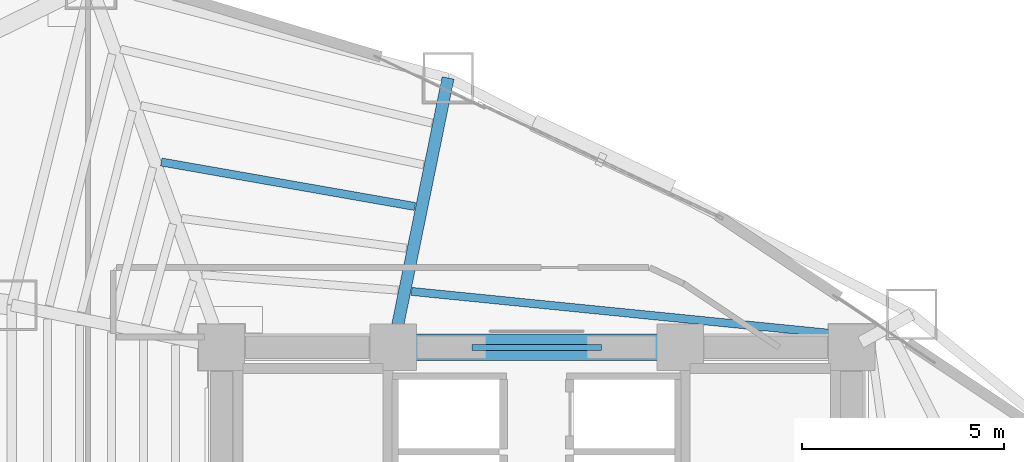
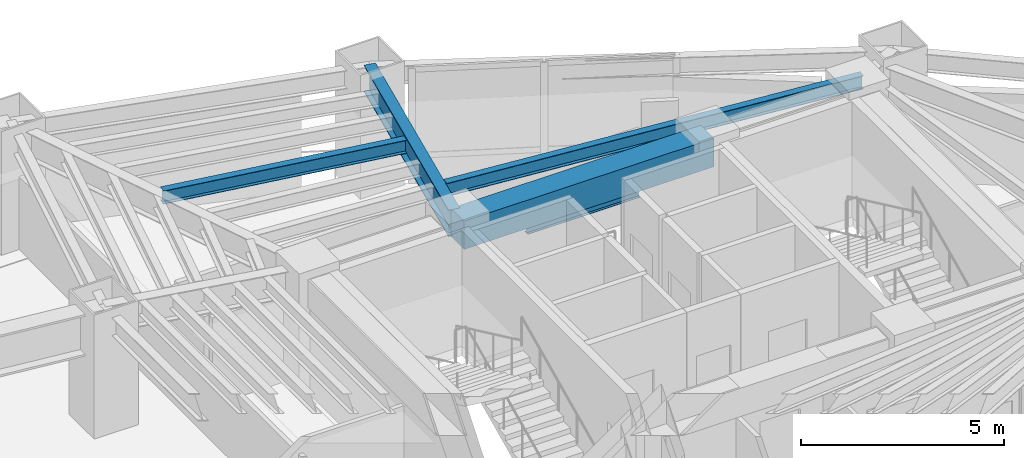
# One storey, part 13 of 23: 5 beams.
"""IFC4 building model written with IfcOpenShell, lengths in metres."""

import ifcopenshell
import ifcopenshell.guid

model = None  # the IFC model being written
_history = None  # IfcOwnerHistory: only IFC2X3 demands one
_inside = {}  # id of a spatial element -> (the spatial element, [elements in it])
_under = {}  # id of a project, library or spatial element -> (it, [spatial elements below it])
_declared = {}  # id of a project -> (the project, [libraries it declares])
_typed = {}  # id of a type object -> (the type object, [elements of that type])
_made_of = {}  # id of a material, layer set ... -> (it, [elements and type objects made of it])


def new_model(schema):
    """Start an empty IFC model of exactly this schema.

    Asked for "IFC4X3", IfcOpenShell would pick the latest addendum, in which some entities
    have other attributes; the version numbers below select the first issue.
    IFC2X3 requires an IfcOwnerHistory on every rooted entity: one is made here for all.
    """
    global model, _history
    if schema == "IFC4X3":
        model = ifcopenshell.file(schema_version=(4, 3, 0, 0))
    else:
        model = ifcopenshell.file(schema=schema)
    _inside.clear()
    _under.clear()
    _declared.clear()
    _typed.clear()
    _made_of.clear()
    _history = None
    if model.schema == "IFC2X3":
        org = make("IfcOrganization", Name="unknown")
        user = make(
            "IfcPersonAndOrganization",
            ThePerson=make("IfcPerson", FamilyName="unknown"),
            TheOrganization=org,
        )
        app = make(
            "IfcApplication",
            ApplicationDeveloper=org,
            Version="unknown",
            ApplicationFullName="unknown",
            ApplicationIdentifier="unknown",
        )
        _history = make(
            "IfcOwnerHistory",
            OwningUser=user,
            OwningApplication=app,
            ChangeAction="ADDED",
            CreationDate=0,
        )
    return model


def make(cls, **values):
    """One entity of the class cls with the attributes given. An attribute that is None is left unset."""
    return model.create_entity(
        cls, **{name: value for name, value in values.items() if value is not None}
    )


def rooted(cls, **values):
    """An entity with a GlobalId (a new one), such as an element, a storey or a relation."""
    return make(cls, GlobalId=ifcopenshell.guid.new(), OwnerHistory=_history, **values)


def si_unit(unit_type, name, prefix=None):
    """IfcSIUnit, for example si_unit("LENGTHUNIT", "METRE", prefix="MILLI")."""
    return make("IfcSIUnit", UnitType=unit_type, Prefix=prefix, Name=name)


def assignment(units):
    """IfcUnitAssignment: the units of a project."""
    return None if units is None else make("IfcUnitAssignment", Units=units)


def point(xyz):
    """IfcCartesianPoint."""
    return None if xyz is None else make("IfcCartesianPoint", Coordinates=xyz)


def direction(xyz):
    """IfcDirection."""
    return None if xyz is None else make("IfcDirection", DirectionRatios=xyz)


def frame(location, z_axis=None, x_axis=None):
    """IfcAxis2Placement3D, a coordinate frame: its origin and axes. An axis left out is left unset."""
    return make(
        "IfcAxis2Placement3D",
        Location=point(location),
        Axis=direction(z_axis),
        RefDirection=direction(x_axis),
    )


def frame_2d(location, x_axis=None):
    """IfcAxis2Placement2D, a coordinate frame in the plane: its origin and x axis."""
    return make(
        "IfcAxis2Placement2D", Location=point(location), RefDirection=direction(x_axis)
    )


def origin():
    """The frame at (0, 0, 0) with its axes left unset."""
    return frame((0.0, 0.0, 0.0))


def origin_2d():
    """The frame at (0, 0) in the plane with its x axis left unset."""
    return frame_2d((0.0, 0.0))


def place(relative_to, where):
    """IfcLocalPlacement: puts the frame where relative to a parent placement (None: the world)."""
    return make(
        "IfcLocalPlacement", PlacementRelTo=relative_to, RelativePlacement=where
    )


def context(
    kind, dimensions, precision=None, world=None, true_north=None, identifier=None
):
    """IfcGeometricRepresentationContext, for example the 3D "Model" context."""
    return make(
        "IfcGeometricRepresentationContext",
        ContextIdentifier=identifier,
        ContextType=kind,
        CoordinateSpaceDimension=dimensions,
        Precision=precision,
        WorldCoordinateSystem=world,
        TrueNorth=true_north,
    )


def subcontext(parent, identifier, kind, view, scale=None):
    """IfcGeometricRepresentationSubContext, for example "Body" below "Model"."""
    return make(
        "IfcGeometricRepresentationSubContext",
        ContextIdentifier=identifier,
        ContextType=kind,
        ParentContext=parent,
        TargetScale=scale,
        TargetView=view,
    )


def project(units=None, contexts=None):
    """IfcProject with its units and contexts."""
    return rooted(
        "IfcProject",
        Name="project",
        RepresentationContexts=contexts,
        UnitsInContext=assignment(units),
    )


def spatial(cls, under=None, at=None, **own):
    """A site, building, storey or space (cls), placed at a placement, below another one or the project."""
    s = rooted(cls, ObjectPlacement=at, **own)
    if under is not None:
        _under.setdefault(under.id(), (under, []))[1].append(s)
    return s


def profile(cls, at=None, kind="AREA", **sizes):
    """A parametric profile (cls). Its sizes go by their IFC names, for example OverallWidth=200.0."""
    return make(cls, ProfileType=kind, Position=at, **sizes)


def rectangle(**sizes):
    """IfcRectangleProfileDef."""
    return profile("IfcRectangleProfileDef", **sizes)


def i_section(**sizes):
    """IfcIShapeProfileDef."""
    return profile("IfcIShapeProfileDef", **sizes)


def extrude(swept, where, along, depth):
    """IfcExtrudedAreaSolid: the profile swept, set in the frame where, extruded along a direction by depth."""
    return make(
        "IfcExtrudedAreaSolid",
        SweptArea=swept,
        Position=where,
        ExtrudedDirection=direction(along),
        Depth=depth,
    )


def shape(context_of_items, identifier, shape_type, items):
    """IfcShapeRepresentation: the items that make up one representation, for example the "Body"."""
    return make(
        "IfcShapeRepresentation",
        ContextOfItems=context_of_items,
        RepresentationIdentifier=identifier,
        RepresentationType=shape_type,
        Items=items,
    )


def material(Name=None, Category=None):
    """IfcMaterial."""
    return make("IfcMaterial", Name=Name, Category=Category)


def material_profile(
    of_material, cross_section, Name=None, Category=None, Priority=None
):
    """IfcMaterialProfile: a cross section and its material."""
    return make(
        "IfcMaterialProfile",
        Name=Name,
        Material=of_material,
        Profile=cross_section,
        Priority=Priority,
        Category=Category,
    )


def profile_set(profiles, Name=None, composite=None):
    """IfcMaterialProfileSet."""
    return make(
        "IfcMaterialProfileSet",
        Name=Name,
        MaterialProfiles=profiles,
        CompositeProfile=composite,
    )


def made_of(thing, what):
    """Note that an element or type object is made of a material, layer set ...; save() writes the relation."""
    if what is not None:
        _made_of.setdefault(what.id(), (what, []))[1].append(thing)
    return thing


def type_object(cls, material=None, **own):
    """A type object (cls), such as IfcWallType, which elements share."""
    return made_of(rooted(cls, **own), material)


def element(
    cls,
    number,
    at=None,
    inside=None,
    cuts=None,
    type_object=None,
    material=None,
    context=None,
    identifier="Body",
    shape_type=None,
    held_by="IfcProductDefinitionShape",
    body=None,
    shapes=None,
    **own,
):
    """One element of the class cls, such as IfcWall. Its Tag is "e" and its number.

    at: its placement. inside: the storey or other place that contains it. cuts: it is an
    opening in that element (IfcRelVoidsElement). A single representation is given by context,
    identifier, shape_type and body (its items); several are given by shapes. held_by: the class
    of the entity that holds the representations. save() writes the other relations.
    """
    e = rooted(cls, Tag="e%d" % number, ObjectPlacement=at, **own)
    if body is not None:
        shapes = [shape(context, identifier, shape_type, body)]
    if shapes is not None:
        e.Representation = make(held_by, Representations=shapes)
    if inside is not None:
        _inside.setdefault(inside.id(), (inside, []))[1].append(e)
    if cuts is not None:
        rooted(
            "IfcRelVoidsElement", RelatingBuildingElement=cuts, RelatedOpeningElement=e
        )
    if type_object is not None:
        _typed.setdefault(type_object.id(), (type_object, []))[1].append(e)
    return made_of(e, material)


def aggregate(whole, parts):
    """IfcRelAggregates: a whole, such as a stair, and the parts it consists of."""
    return rooted("IfcRelAggregates", RelatingObject=whole, RelatedObjects=parts)


def save(model, path):
    """Write the relations noted so far, then the file.

    IfcRelAggregates (storeys below a building ...), IfcRelContainedInSpatialStructure (elements
    in a storey), IfcRelDefinesByType, IfcRelAssociatesMaterial and IfcRelDeclares: one each for
    every whole, place, type object, material and project.
    """
    for whole, parts in _under.values():
        aggregate(whole, parts)
    for where, things in _inside.values():
        rooted(
            "IfcRelContainedInSpatialStructure",
            RelatedElements=things,
            RelatingStructure=where,
        )
    for kind, things in _typed.values():
        rooted("IfcRelDefinesByType", RelatedObjects=things, RelatingType=kind)
    for what, things in _made_of.values():
        rooted("IfcRelAssociatesMaterial", RelatedObjects=things, RelatingMaterial=what)
    for by, libraries in _declared.values():
        rooted("IfcRelDeclares", RelatingContext=by, RelatedDefinitions=libraries)
    model.write(path)


model = new_model("IFC4")

# Units and contexts
model_context = context("Model", 3, precision=1e-05, world=origin(), true_north=direction((0.0, 1.0)))
body_context = subcontext(model_context, "Body", "Model", "MODEL_VIEW")
ifc_project = project(units=[si_unit("LENGTHUNIT", "METRE"), si_unit("AREAUNIT", "SQUARE_METRE"), si_unit("VOLUMEUNIT", "CUBIC_METRE"), si_unit("PLANEANGLEUNIT", "RADIAN"), si_unit("MASSUNIT", "GRAM", prefix="KILO")], contexts=[model_context])

# Site, building, storey
site_placement = place(None, origin())
site = spatial("IfcSite", under=ifc_project, at=site_placement, CompositionType="ELEMENT")
building_placement = place(site_placement, origin())
building = spatial("IfcBuilding", under=site, at=building_placement, Name="Menara Vayukalpa", CompositionType="ELEMENT")
storey_placement = place(building_placement, frame((0.0, 0.0, 103.97998046875)))
storey = spatial("IfcBuildingStorey", under=building, at=storey_placement, Name="L25", CompositionType="ELEMENT", Elevation=103.97998046875)

# Beams
ifc_material_1 = material(Name="Concrete C60/75", Category="concrete")
ifc_material_profile_1 = material_profile(ifc_material_1, rectangle(XDim=0.64990234375, YDim=0.85009765625, at=origin_2d()), Name="RC 650x850")
ifc_profile_set_1 = profile_set([ifc_material_profile_1], Name="Concrete C60/75")
beam_type_1 = type_object("IfcBeamType", Name="BM-CB1", PredefinedType="BEAM", material=ifc_profile_set_1)
beam_1_placement = place(storey_placement, frame((22.050048828125, 26.800048828125, 3.044921875), z_axis=(1.0, 0.0, 0.0), x_axis=(0.0, 1.0, 0.0)))
element("IfcBeam", 1, at=beam_1_placement, inside=storey, type_object=beam_type_1, Name="L25 Core Tie Beam CBR5", PredefinedType="BEAM", context=body_context, shape_type="SweptSolid", body=[
    extrude(rectangle(XDim=0.64990234375, YDim=0.85009765625, at=origin_2d()), origin(), (0.0, 0.0, 1.0), 7.099853515625),
])
ifc_material_2 = material(Name="Steel S355", Category="steel")
ifc_material_profile_2 = material_profile(ifc_material_2, i_section(OverallWidth=0.14990234375, OverallDepth=0.300048828125, WebThickness=0.006591796875, FlangeThickness=0.009033203125, at=origin_2d()), Name="WF 300x150x6.5x9")
ifc_profile_set_2 = profile_set([ifc_material_profile_2], Name="Steel S355")
beam_type_2 = type_object("IfcBeamType", Name="BM-LN1", PredefinedType="LINTEL", material=ifc_profile_set_2)
beam_2_placement = place(storey_placement, frame((24.0, 26.800048828125, 2.380126953125), z_axis=(1.0, 0.0, 0.0), x_axis=(0.0, 1.0, 0.0)))
element("IfcBeam", 2, at=beam_2_placement, inside=storey, type_object=beam_type_2, Name="L25 North Core Steel Lintel LN1", PredefinedType="LINTEL", context=body_context, shape_type="SweptSolid", body=[
    extrude(i_section(OverallWidth=0.14990234375, OverallDepth=0.300048828125, WebThickness=0.006591796875, FlangeThickness=0.009033203125, at=origin_2d()), origin(), (0.0, 0.0, 1.0), 3.199951171875),
])
ifc_material_3 = material(Name="Steel S355", Category="steel")
ifc_material_profile_3 = material_profile(ifc_material_3, i_section(OverallWidth=0.300048828125, OverallDepth=0.800048828125, WebThickness=0.013916015625, FlangeThickness=0.02587890625, at=origin_2d()), Name="WF 800x300x14x26")
ifc_profile_set_3 = profile_set([ifc_material_profile_3], Name="Steel S355")
beam_type_3 = type_object("IfcBeamType", Name="BM-PG3", PredefinedType="BEAM", material=ifc_profile_set_3)
beam_3_placement = place(storey_placement, frame((22.099853515625, 27.044921875, 3.070068359375), z_axis=(0.199617728418, 0.9798738503, 0.0), x_axis=(-0.9798738503, 0.199617728418, 0.0)))
element("IfcBeam", 3, at=beam_3_placement, inside=storey, type_object=beam_type_3, Name="L25 Primary Radial Girder RG03", PredefinedType="BEAM", context=body_context, shape_type="SweptSolid", body=[
    extrude(i_section(OverallWidth=0.300048828125, OverallDepth=0.800048828125, WebThickness=0.013916015625, FlangeThickness=0.02587890625, at=origin_2d()), origin(), (0.0, 0.0, 1.0), 6.55419921875),
])
ifc_material_4 = material(Name="Steel S355", Category="steel")
ifc_material_profile_4 = material_profile(ifc_material_4, i_section(OverallWidth=0.199951171875, OverallDepth=0.39990234375, WebThickness=0.008056640625, FlangeThickness=0.012939453125, at=origin_2d()), Name="WF 400x200x8x13")
ifc_profile_set_4 = profile_set([ifc_material_profile_4], Name="Steel S355")
beam_type_4 = type_object("IfcBeamType", Name="BM-SJ2", PredefinedType="JOIST", material=ifc_profile_set_4)
beam_4_placement = place(storey_placement, frame((33.677978515625, 27.06396484375, 3.27001953125), z_axis=(-0.995012836574, 0.099746955103, 0.0), x_axis=(-0.099746955103, -0.995012836574, 0.0)))
element("IfcBeam", 4, at=beam_4_placement, inside=storey, type_object=beam_type_4, Name="L25 Secondary Floor Joist SJ02-1", PredefinedType="JOIST", context=body_context, shape_type="SweptSolid", body=[
    extrude(i_section(OverallWidth=0.199951171875, OverallDepth=0.39990234375, WebThickness=0.008056640625, FlangeThickness=0.012939453125, at=origin_2d()), origin(), (0.0, 0.0, 1.0), 11.2294921875),
])
beam_5_placement = place(storey_placement, frame((22.586669921875, 30.28564453125, 3.27001953125), z_axis=(-0.984953935883, 0.172817083033, 0.0), x_axis=(-0.172817083033, -0.984953935883, 0.0)))
element("IfcBeam", 5, at=beam_5_placement, inside=storey, type_object=beam_type_4, Name="L25 Secondary Floor Joist SJ03-3", PredefinedType="JOIST", context=body_context, shape_type="SweptSolid", body=[
    extrude(i_section(OverallWidth=0.199951171875, OverallDepth=0.39990234375, WebThickness=0.008056640625, FlangeThickness=0.012939453125, at=origin_2d()), origin(), (0.0, 0.0, 1.0), 6.372802734375),
])

save(model, "model.ifc")
